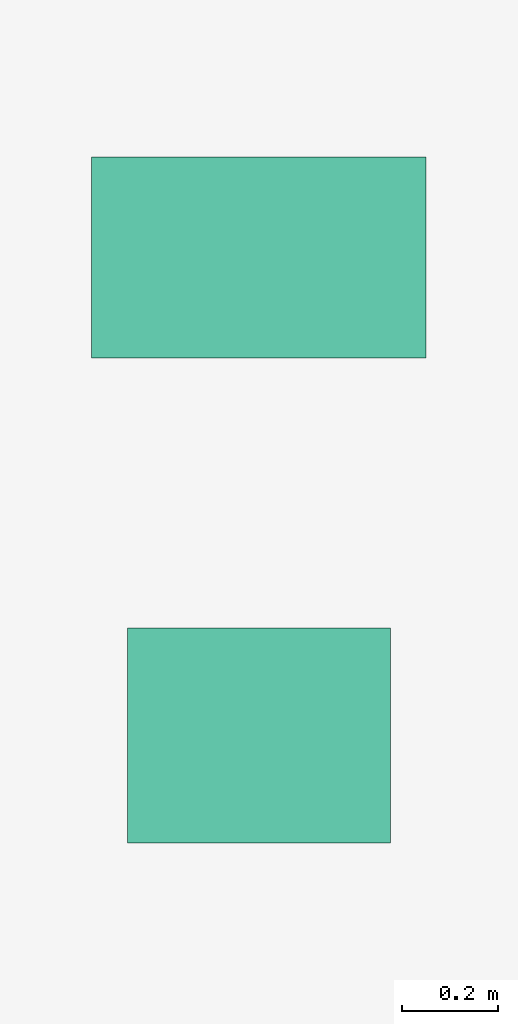
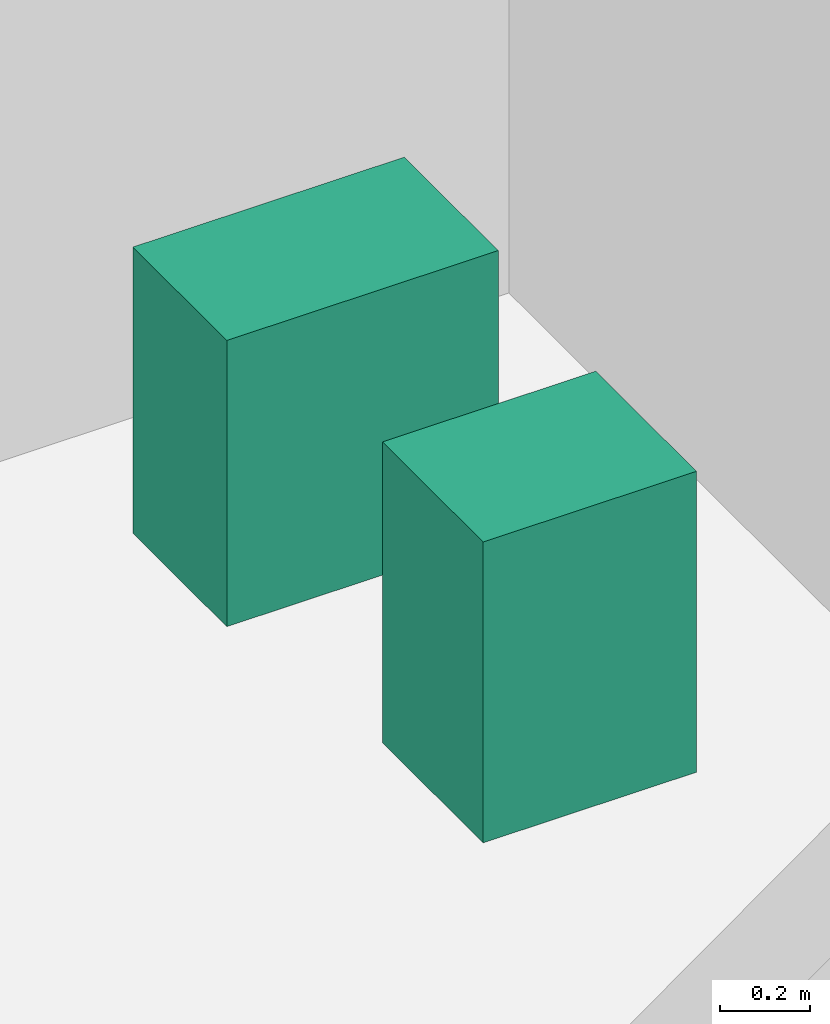
# One storey, part 25 of 25: 2 sanitary terminals.
"""IFC4 building model written with IfcOpenShell, lengths in metres."""

from ifc_helpers import new_model, si_unit, direction, frame, origin, origin_2d, place, context, subcontext, project, spatial, rectangle, extrude, source, transform, mapped, material, type_object, element, save


model = new_model("IFC4")

# Units and contexts
model_context = context("Model", 3, precision=1e-05, world=origin(), true_north=direction((0.0, 1.0)))
body_context = subcontext(model_context, "Body", "Model", "MODEL_VIEW")
ifc_project = project(units=[si_unit("LENGTHUNIT", "METRE"), si_unit("AREAUNIT", "SQUARE_METRE"), si_unit("VOLUMEUNIT", "CUBIC_METRE"), si_unit("PLANEANGLEUNIT", "RADIAN"), si_unit("MASSUNIT", "GRAM", prefix="KILO")], contexts=[model_context])

# Site, building, storey
site_placement = place(None, origin())
site = spatial("IfcSite", under=ifc_project, at=site_placement, CompositionType="ELEMENT")
building_placement = place(site_placement, origin())
building = spatial("IfcBuilding", under=site, at=building_placement, Name="Sumidabori Civic Tower", CompositionType="ELEMENT")
storey_placement = place(building_placement, frame((0.0, 0.0, 232.39990234375)))
storey = spatial("IfcBuildingStorey", under=building, at=storey_placement, Name="L60", CompositionType="ELEMENT", Elevation=232.39990234375)

# Sanitary terminals
ifc_material = material(Name="Vitreous Sanitary Porcelain")
sanitary_terminal_type_1 = type_object("IfcSanitaryTerminalType", Name="SN-WC-1", PredefinedType="TOILETPAN", material=ifc_material)
shared_shape_1 = source(origin(), body_context, "Body", "SweptSolid", [
    extrude(rectangle(XDim=0.699951171875, YDim=0.419921875, at=origin_2d()), origin(), (0.0, 0.0, 1.0), 0.780029296875),
])
sanitary_terminal_1_placement = place(storey_placement, frame((10.800048828125, 21.85009765625, 0.0), z_axis=(0.0, 0.0, 1.0), x_axis=(1.0, 0.0, 0.0)))
element("IfcSanitaryTerminal", 1, at=sanitary_terminal_1_placement, inside=storey, type_object=sanitary_terminal_type_1, Name="Accessible WC Pan L60", PredefinedType="TOILETPAN", context=body_context, shape_type="MappedRepresentation", body=[
    mapped(shared_shape_1, transform((0.0, 0.0, 0.0), x_axis=(1.0, 0.0, 0.0), y_axis=(0.0, 1.0, 0.0), z_axis=(0.0, 0.0, 1.0), scale=1.0)),
])
sanitary_terminal_type_2 = type_object("IfcSanitaryTerminalType", Name="SN-BAS-1", PredefinedType="WASHHANDBASIN", material=ifc_material)
shared_shape_2 = source(origin(), body_context, "Body", "SweptSolid", [
    extrude(rectangle(XDim=0.550048828125, YDim=0.449951171875, at=origin_2d()), origin(), (0.0, 0.0, 1.0), 0.820068359375),
])
sanitary_terminal_2_placement = place(storey_placement, frame((10.800048828125, 20.85009765625, 0.0), z_axis=(0.0, 0.0, 1.0), x_axis=(1.0, 0.0, 0.0)))
element("IfcSanitaryTerminal", 2, at=sanitary_terminal_2_placement, inside=storey, type_object=sanitary_terminal_type_2, Name="Accessible Basin L60", PredefinedType="WASHHANDBASIN", context=body_context, shape_type="MappedRepresentation", body=[
    mapped(shared_shape_2, transform((0.0, 0.0, 0.0), x_axis=(1.0, 0.0, 0.0), y_axis=(0.0, 1.0, 0.0), z_axis=(0.0, 0.0, 1.0), scale=1.0)),
])

save(model, "model.ifc")
